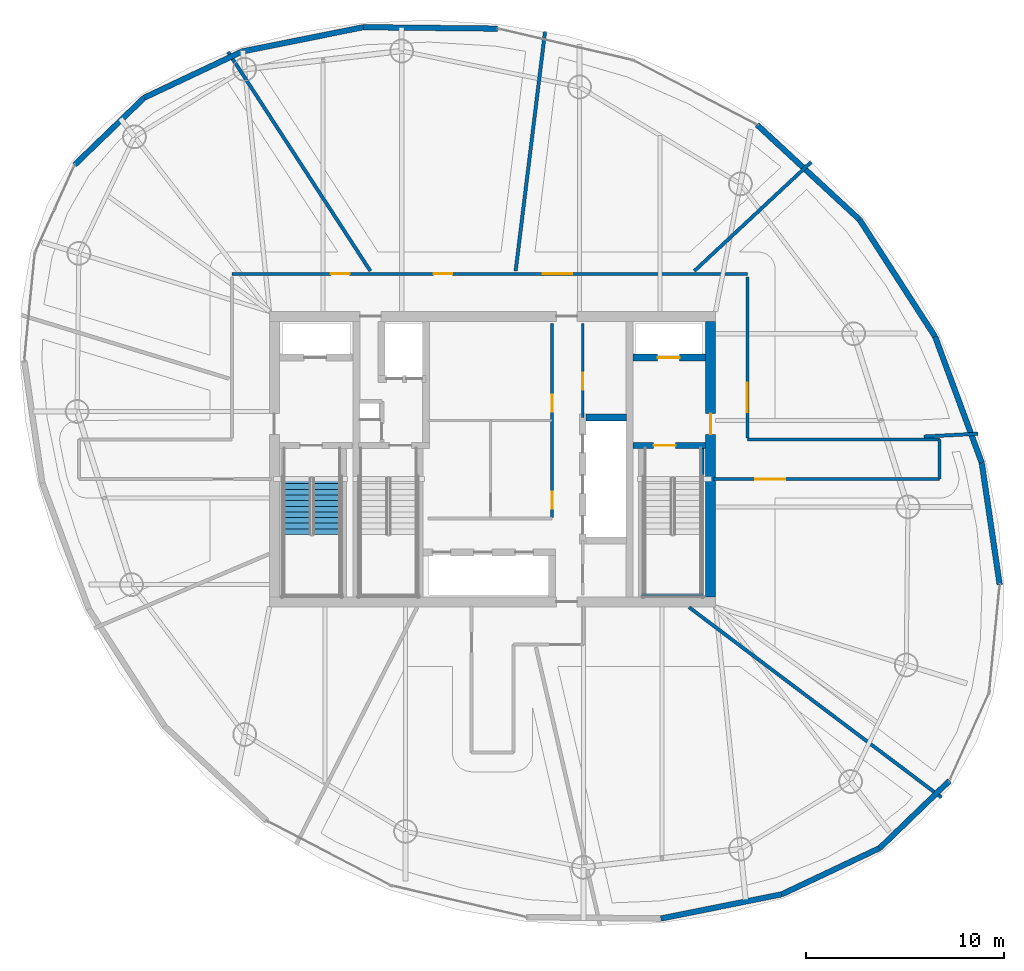
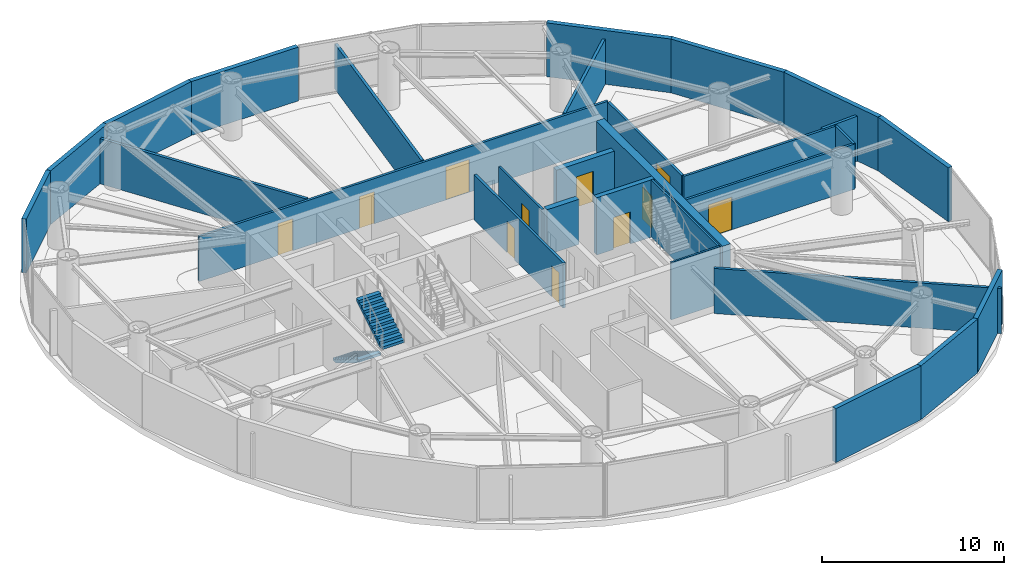
# One storey, part 19 of 25: 29 walls, 11 doors, 2 stair flights, 11 openings, 1 element without a shape of its own.
"""IFC4 building model written with IfcOpenShell, lengths in metres."""

from ifc_helpers import new_model, si_unit, direction, frame, frame_2d, origin, place, context, subcontext, project, spatial, polyline, rectangle, outline, extrude, material, layer, layer_set, type_object, element, fill, aggregate, save


model = new_model("IFC4")

# Units and contexts
model_context = context("Model", 3, precision=1e-05, world=origin(), true_north=direction((0.0, 1.0)))
body_context = subcontext(model_context, "Body", "Model", "MODEL_VIEW")
ifc_project = project(units=[si_unit("LENGTHUNIT", "METRE"), si_unit("AREAUNIT", "SQUARE_METRE"), si_unit("VOLUMEUNIT", "CUBIC_METRE"), si_unit("PLANEANGLEUNIT", "RADIAN"), si_unit("MASSUNIT", "GRAM", prefix="KILO")], contexts=[model_context])

# Site, building, storey
site_placement = place(None, origin())
site = spatial("IfcSite", under=ifc_project, at=site_placement, CompositionType="ELEMENT")
building_placement = place(site_placement, origin())
building = spatial("IfcBuilding", under=site, at=building_placement, Name="Bramvorn Convention Spire", CompositionType="ELEMENT")
storey_placement = place(building_placement, frame((0.0, 0.0, 171.199951171875)))
storey = spatial("IfcBuildingStorey", under=building, at=storey_placement, Name="L43", CompositionType="ELEMENT", Elevation=171.199951171875)

# Wall, opening, door
ifc_material_1 = material(Name="Concrete C50/60", Category="concrete")
ifc_layer_1 = layer(ifc_material_1, 0.5)
ifc_layer_set_1 = layer_set([ifc_layer_1], Name="Concrete C50/60 - WL-CORE-500")
wall_type_1 = type_object("IfcWallType", Name="WL-CORE-500", PredefinedType="SHEAR", material=ifc_layer_set_1)
wall_1_placement = place(storey_placement, frame((49.0, 19.050048828125, 0.0), z_axis=(0.0, 0.0, 1.0), x_axis=(0.0, 1.0, 0.0)))
wall_1 = element("IfcWall", 1, at=wall_1_placement, inside=storey, type_object=wall_type_1, Name="L43 East RC core shear wall", PredefinedType="SHEAR", context=body_context, shape_type="SweptSolid", body=[
    extrude(rectangle(XDim=13.89990234375, YDim=0.5, at=frame_2d((6.949951171875, 0.0))), origin(), (0.0, 0.0, 1.0), 3.85009765625),
])
opening_1_placement = place(wall_1_placement, frame((8.199951171875, 0.0, 0.0)))
opening_1 = element("IfcOpeningElement", 2, at=opening_1_placement, cuts=wall_1, Name="Opening DL-105", PredefinedType="OPENING", context=body_context, shape_type="SweptSolid", body=[
    extrude(rectangle(XDim=1.050048828125, YDim=2.14990234375, at=frame_2d((0.52490234375, 1.074951171875))), frame((0.0, 0.260009765625, 0.0), z_axis=(0.0, -1.0, 0.0), x_axis=(1.0, 0.0, 0.0)), (0.0, 0.0, 1.0), 0.52001953125),
])
ifc_material_2 = material(Name="Smoke-Sealed Fire Lobby Timber-Core Door", Category="wood")
door_type_1 = type_object("IfcDoorType", Name="DR-LOBBY-1050", OperationType="NOTDEFINED", PredefinedType="DOOR", material=ifc_material_2)
door_1_placement = place(opening_1_placement, origin())
door_1 = element("IfcDoor", 3, at=door_1_placement, inside=storey, type_object=door_type_1, Name="L43 East Firefighting Lobby corridor door", OperationType="SINGLE_SWING_LEFT", OverallHeight=2.14990234375, OverallWidth=1.050048828125, PredefinedType="DOOR", context=body_context, shape_type="SweptSolid", body=[
    extrude(rectangle(XDim=1.050048828125, YDim=2.14990234375, at=frame_2d((0.52490234375, 1.074951171875))), frame((0.0, 0.02490234375, 0.0), z_axis=(0.0, -1.0, 0.0), x_axis=(1.0, 0.0, 0.0)), (0.0, 0.0, 1.0), 0.050048828125),
])
fill(opening_1, door_1)

ifc_layer_2 = layer(ifc_material_1, 0.35009765625)
ifc_layer_set_2 = layer_set([ifc_layer_2], Name="Concrete C50/60 - WL-CORE-INT-350")
wall_type_2 = type_object("IfcWallType", Name="WL-CORE-INT-350", PredefinedType="SHEAR", material=ifc_layer_set_2)
wall_2_placement = place(storey_placement, frame((45.080078125, 31.1201171875, 0.0), z_axis=(0.0, 0.0, 1.0), x_axis=(1.0, 0.0, 0.0)))
wall_2 = element("IfcWall", 4, at=wall_2_placement, inside=storey, type_object=wall_type_2, Name="L43 FE2 shaft front wall", PredefinedType="SHEAR", context=body_context, shape_type="SweptSolid", body=[
    extrude(rectangle(XDim=3.669921875, YDim=0.35009765625, at=frame_2d((1.8349609375, 0.0))), origin(), (0.0, 0.0, 1.0), 3.03515625),
])
opening_2_placement = place(wall_2_placement, frame((1.25, 0.0, 0.0)))
opening_2 = element("IfcOpeningElement", 5, at=opening_2_placement, cuts=wall_2, Name="Opening LD-110", PredefinedType="OPENING", context=body_context, shape_type="SweptSolid", body=[
    extrude(rectangle(XDim=1.10009765625, YDim=2.14990234375, at=frame_2d((0.550048828125, 1.074951171875))), frame((0.0, 0.18505859375, 0.0), z_axis=(0.0, -1.0, 0.0), x_axis=(1.0, 0.0, 0.0)), (0.0, 0.0, 1.0), 0.3701171875),
])
ifc_material_3 = material(Name="Firefighting & Service Lift Sliding Landing Door", Category="steel")
door_type_2 = type_object("IfcDoorType", Name="DR-LIFT-LD-1100", OperationType="NOTDEFINED", PredefinedType="DOOR", material=ifc_material_3)
door_2_placement = place(opening_2_placement, origin())
door_2 = element("IfcDoor", 6, at=door_2_placement, inside=storey, type_object=door_type_2, Name="L43 Lift FE2 Sliding Landing Door", OperationType="SLIDING_TO_LEFT", OverallHeight=2.14990234375, OverallWidth=1.10009765625, PredefinedType="DOOR", context=body_context, shape_type="SweptSolid", body=[
    extrude(rectangle(XDim=1.10009765625, YDim=2.14990234375, at=frame_2d((0.550048828125, 1.074951171875))), frame((0.0, 0.02490234375, 0.0), z_axis=(0.0, -1.0, 0.0), x_axis=(1.0, 0.0, 0.0)), (0.0, 0.0, 1.0), 0.050048828125),
])
fill(opening_2, door_2)

# Walls
wall_3_placement = place(storey_placement, frame((42.719970703125, 28.10009765625, 0.0), z_axis=(0.0, 0.0, 1.0), x_axis=(1.0, 0.0, 0.0)))
element("IfcWall", 7, at=wall_3_placement, inside=storey, type_object=wall_type_2, Name="L43 High-rise lift bank north wall", PredefinedType="SHEAR", context=body_context, shape_type="SweptSolid", body=[
    extrude(rectangle(XDim=2.030029296875, YDim=0.35009765625, at=frame_2d((1.01513671875, 0.0))), origin(), (0.0, 0.0, 1.0), 3.03515625),
])
ifc_material_4 = material(Name="Precast Concrete C40/50 with Bronze Terracotta Rainscreen", Category="masonry")
ifc_layer_3 = layer(ifc_material_4, 0.300048828125)
ifc_layer_set_3 = layer_set([ifc_layer_3], Name="Precast Concrete C40/50 with Bronze Terracotta Rainscreen - WL-EXT-BRONZE-300")
wall_type_3 = type_object("IfcWallType", Name="WL-EXT-BRONZE-300", PredefinedType="SOLIDWALL", material=ifc_layer_set_3)
wall_4_placement = place(storey_placement, frame((62.673095703125, 25.819580078125, 0.0), z_axis=(0.0, 0.0, 1.0), x_axis=(0.145592201072, -0.989344687653, 0.0)))
element("IfcWall", 8, at=wall_4_placement, inside=storey, type_object=wall_type_3, Name="L43 expressed bronze Gothic lancet pier wall 03", PredefinedType="SOLIDWALL", context=body_context, shape_type="SweptSolid", body=[
    extrude(rectangle(XDim=6.226318359375, YDim=0.280029296875, at=frame_2d((3.11328125, 0.0))), origin(), (0.0, 0.0, 1.0), 3.6201171875),
])
wall_5_placement = place(storey_placement, frame((60.319580078125, 32.182861328125, 0.0), z_axis=(0.0, 0.0, 1.0), x_axis=(0.346892401277, -0.937904932249, 0.0)))
element("IfcWall", 9, at=wall_5_placement, inside=storey, type_object=wall_type_3, Name="L43 expressed bronze Gothic lancet pier wall 04", PredefinedType="SOLIDWALL", context=body_context, shape_type="SweptSolid", body=[
    extrude(rectangle(XDim=6.78466796875, YDim=0.280029296875, at=frame_2d((3.392333984375, 0.0))), origin(), (0.0, 0.0, 1.0), 3.6201171875),
])
wall_6_placement = place(storey_placement, frame((56.511962890625, 38.07763671875, 0.0), z_axis=(0.0, 0.0, 1.0), x_axis=(0.542583225107, -0.840002049898, 0.0)))
element("IfcWall", 10, at=wall_6_placement, inside=storey, type_object=wall_type_3, Name="L43 expressed bronze Gothic lancet pier wall 05", PredefinedType="SOLIDWALL", context=body_context, shape_type="SweptSolid", body=[
    extrude(rectangle(XDim=7.017578125, YDim=0.280029296875, at=frame_2d((3.5087890625, 0.0))), origin(), (0.0, 0.0, 1.0), 3.6201171875),
])
wall_7_placement = place(storey_placement, frame((51.342041015625, 42.864501953125, 0.0), z_axis=(0.0, 0.0, 1.0), x_axis=(0.733767711646, -0.679400430782, 0.0)))
element("IfcWall", 11, at=wall_7_placement, inside=storey, type_object=wall_type_3, Name="L43 expressed bronze Gothic lancet pier wall 06", PredefinedType="SOLIDWALL", context=body_context, shape_type="SweptSolid", body=[
    extrude(rectangle(XDim=7.045654296875, YDim=0.280029296875, at=frame_2d((3.52294921875, 0.0))), origin(), (0.0, 0.0, 1.0), 3.6201171875),
])
wall_8_placement = place(storey_placement, frame((31.475341796875, 47.78662109375, 0.0), z_axis=(0.0, 0.0, 1.0), x_axis=(0.999945547735, -0.010435591221, 0.0)))
element("IfcWall", 12, at=wall_8_placement, inside=storey, type_object=wall_type_3, Name="L43 expressed bronze Gothic lancet pier wall 09", PredefinedType="SOLIDWALL", context=body_context, shape_type="SweptSolid", body=[
    extrude(rectangle(XDim=6.78466796875, YDim=0.280029296875, at=frame_2d((3.392333984375, 0.0))), origin(), (0.0, 0.0, 1.0), 3.6201171875),
])
wall_9_placement = place(storey_placement, frame((25.370361328125, 46.563232421875, 0.0), z_axis=(0.0, 0.0, 1.0), x_axis=(0.980506708693, 0.196485608144, 0.0)))
element("IfcWall", 13, at=wall_9_placement, inside=storey, type_object=wall_type_3, Name="L43 expressed bronze Gothic lancet pier wall 10", PredefinedType="SOLIDWALL", context=body_context, shape_type="SweptSolid", body=[
    extrude(rectangle(XDim=6.226318359375, YDim=0.280029296875, at=frame_2d((3.11328125, 0.0))), origin(), (0.0, 0.0, 1.0), 3.6201171875),
])
wall_10_placement = place(storey_placement, frame((20.4296875, 44.228515625, 0.0), z_axis=(0.0, 0.0, 1.0), x_axis=(0.904134088176, 0.427248815794, 0.0)))
element("IfcWall", 14, at=wall_10_placement, inside=storey, type_object=wall_type_3, Name="L43 expressed bronze Gothic lancet pier wall 11", PredefinedType="SOLIDWALL", context=body_context, shape_type="SweptSolid", body=[
    extrude(rectangle(XDim=5.464599609375, YDim=0.280029296875, at=frame_2d((2.732421875, 0.0))), origin(), (0.0, 0.0, 1.0), 3.6201171875),
])
wall_11_placement = place(storey_placement, frame((16.9208984375, 40.842041015625, 0.0), z_axis=(0.0, 0.0, 1.0), x_axis=(0.719536884829, 0.69445422554, 0.0)))
element("IfcWall", 15, at=wall_11_placement, inside=storey, type_object=wall_type_3, Name="L43 expressed bronze Gothic lancet pier wall 12", PredefinedType="SOLIDWALL", context=body_context, shape_type="SweptSolid", body=[
    extrude(rectangle(XDim=4.87646484375, YDim=0.280029296875, at=frame_2d((2.438232421875, 0.0))), origin(), (0.0, 0.0, 1.0), 3.6201171875),
])
wall_12_placement = place(storey_placement, frame((52.592041015625, 4.054931640625, 0.0), z_axis=(0.0, 0.0, 1.0), x_axis=(-0.980514262212, -0.196447910649, 0.0)))
element("IfcWall", 16, at=wall_12_placement, inside=storey, type_object=wall_type_3, Name="L43 expressed bronze Gothic lancet pier wall 22", PredefinedType="SOLIDWALL", context=body_context, shape_type="SweptSolid", body=[
    extrude(rectangle(XDim=6.226318359375, YDim=0.280029296875, at=frame_2d((3.11328125, 0.0))), origin(), (0.0, 0.0, 1.0), 3.6201171875),
])
wall_13_placement = place(storey_placement, frame((57.53271484375, 6.389892578125, 0.0), z_axis=(0.0, 0.0, 1.0), x_axis=(-0.904116829372, -0.427285336568, 0.0)))
element("IfcWall", 17, at=wall_13_placement, inside=storey, type_object=wall_type_3, Name="L43 expressed bronze Gothic lancet pier wall 23", PredefinedType="SOLIDWALL", context=body_context, shape_type="SweptSolid", body=[
    extrude(rectangle(XDim=5.464599609375, YDim=0.280029296875, at=frame_2d((2.732421875, 0.0))), origin(), (0.0, 0.0, 1.0), 3.6201171875),
])
wall_14_placement = place(storey_placement, frame((61.041259765625, 9.776123046875, 0.0), z_axis=(0.0, 0.0, 1.0), x_axis=(-0.719537756964, -0.694453321904, 0.0)))
element("IfcWall", 18, at=wall_14_placement, inside=storey, type_object=wall_type_3, Name="L43 expressed bronze Gothic lancet pier wall 24", PredefinedType="SOLIDWALL", context=body_context, shape_type="SweptSolid", body=[
    extrude(rectangle(XDim=4.876220703125, YDim=0.280029296875, at=frame_2d((2.43798828125, 0.0))), origin(), (0.0, 0.0, 1.0), 3.6201171875),
])

# Wall, opening, door
ifc_material_5 = material(Name="Metal-Stud Demountable Office Partition", Category="gypsum")
ifc_layer_4 = layer(ifc_material_5, 0.1298828125)
ifc_layer_set_4 = layer_set([ifc_layer_4], Name="Metal-Stud Demountable Office Partition - WL-PART-130")
wall_type_4 = type_object("IfcWallType", Name="WL-PART-130", PredefinedType="PARTITIONING", material=ifc_layer_set_4)
wall_15_placement = place(storey_placement, frame((42.550048828125, 28.10009765625, 0.0), z_axis=(0.0, 0.0, 1.0), x_axis=(0.0, 1.0, 0.0)))
wall_15 = element("IfcWall", 19, at=wall_15_placement, inside=storey, type_object=wall_type_4, Name="L43 KA NE IDF wall", PredefinedType="PARTITIONING", context=body_context, shape_type="SweptSolid", body=[
    extrude(rectangle(XDim=4.75, YDim=0.1298828125, at=frame_2d((2.375, 0.0))), origin(), (0.0, 0.0, 1.0), 3.03515625),
])
opening_3_placement = place(wall_15_placement, frame((1.39990234375, 0.0, 0.0)))
opening_3 = element("IfcOpeningElement", 20, at=opening_3_placement, cuts=wall_15, Name="Opening DC-085", PredefinedType="OPENING", context=body_context, shape_type="SweptSolid", body=[
    extrude(rectangle(XDim=0.85009765625, YDim=2.10009765625, at=frame_2d((0.425048828125, 1.050048828125))), frame((0.0, 0.074951171875, 0.0), z_axis=(0.0, -1.0, 0.0), x_axis=(1.0, 0.0, 0.0)), (0.0, 0.0, 1.0), 0.14990234375),
])
ifc_material_6 = material(Name="Fire-Rated Core Washroom & IDF Door", Category="wood")
door_type_3 = type_object("IfcDoorType", Name="DR-CORE-850", OperationType="NOTDEFINED", PredefinedType="DOOR", material=ifc_material_6)
door_3_placement = place(opening_3_placement, origin())
door_3 = element("IfcDoor", 21, at=door_3_placement, inside=storey, type_object=door_type_3, Name="L43 Core IDF & BMS Room door", OperationType="SINGLE_SWING_LEFT", OverallHeight=2.10009765625, OverallWidth=0.85009765625, PredefinedType="DOOR", context=body_context, shape_type="SweptSolid", body=[
    extrude(rectangle(XDim=0.85009765625, YDim=2.10009765625, at=frame_2d((0.425048828125, 1.050048828125))), frame((0.0, 0.02490234375, 0.0), z_axis=(0.0, -1.0, 0.0), x_axis=(1.0, 0.0, 0.0)), (0.0, 0.0, 1.0), 0.050048828125),
])
fill(opening_3, door_3)

# Wall, openings, doors
ifc_material_7 = material(Name="Acoustic Metal-Stud Tenant/Corridor Partition", Category="gypsum")
ifc_layer_5 = layer(ifc_material_7, 0.14990234375)
ifc_layer_set_5 = layer_set([ifc_layer_5], Name="Acoustic Metal-Stud Tenant/Corridor Partition - WL-PART-150")
wall_type_5 = type_object("IfcWallType", Name="WL-PART-150", PredefinedType="PARTITIONING", material=ifc_layer_set_5)
wall_16_placement = place(storey_placement, frame((41.0, 23.050048828125, 0.0), z_axis=(0.0, 0.0, 1.0), x_axis=(0.0, 1.0, 0.0)))
wall_16 = element("IfcWall", 22, at=wall_16_placement, inside=storey, type_object=wall_type_5, Name="L43 KA east core wall", PredefinedType="PARTITIONING", context=body_context, shape_type="SweptSolid", body=[
    extrude(rectangle(XDim=9.800048828125, YDim=0.14990234375, at=frame_2d((4.89990234375, 0.0))), origin(), (0.0, 0.0, 1.0), 3.03515625),
])
opening_4_placement = place(wall_16_placement, frame((5.35009765625, 0.0, 0.0)))
opening_4 = element("IfcOpeningElement", 23, at=opening_4_placement, cuts=wall_16, Name="Opening DC-085", PredefinedType="OPENING", context=body_context, shape_type="SweptSolid", body=[
    extrude(rectangle(XDim=0.85009765625, YDim=2.10009765625, at=frame_2d((0.425048828125, 1.050048828125))), frame((0.0, 0.0849609375, 0.0), z_axis=(0.0, -1.0, 0.0), x_axis=(1.0, 0.0, 0.0)), (0.0, 0.0, 1.0), 0.169921875),
])
opening_5_placement = place(wall_16_placement, frame((0.449951171875, 0.0, 0.0)))
opening_5 = element("IfcOpeningElement", 24, at=opening_5_placement, cuts=wall_16, Name="Opening DC-085", PredefinedType="OPENING", context=body_context, shape_type="SweptSolid", body=[
    extrude(rectangle(XDim=0.85009765625, YDim=2.10009765625, at=frame_2d((0.425048828125, 1.050048828125))), frame((0.0, 0.0849609375, 0.0), z_axis=(0.0, -1.0, 0.0), x_axis=(1.0, 0.0, 0.0)), (0.0, 0.0, 1.0), 0.169921875),
])
door_4_placement = place(opening_4_placement, origin())
door_4 = element("IfcDoor", 25, at=door_4_placement, inside=storey, type_object=door_type_3, Name="L43 Core Linen & Equipment Store door", OperationType="SINGLE_SWING_LEFT", OverallHeight=2.10009765625, OverallWidth=0.85009765625, PredefinedType="DOOR", context=body_context, shape_type="SweptSolid", body=[
    extrude(rectangle(XDim=0.85009765625, YDim=2.10009765625, at=frame_2d((0.425048828125, 1.050048828125))), frame((0.0, 0.02490234375, 0.0), z_axis=(0.0, -1.0, 0.0), x_axis=(1.0, 0.0, 0.0)), (0.0, 0.0, 1.0), 0.050048828125),
])
fill(opening_4, door_4)
door_5_placement = place(opening_5_placement, origin())
door_5 = element("IfcDoor", 26, at=door_5_placement, inside=storey, type_object=door_type_3, Name="L43 Accessible Core Restroom door", OperationType="SINGLE_SWING_LEFT", OverallHeight=2.10009765625, OverallWidth=0.85009765625, PredefinedType="DOOR", context=body_context, shape_type="SweptSolid", body=[
    extrude(rectangle(XDim=0.85009765625, YDim=2.10009765625, at=frame_2d((0.425048828125, 1.050048828125))), frame((0.0, 0.02490234375, 0.0), z_axis=(0.0, -1.0, 0.0), x_axis=(1.0, 0.0, 0.0)), (0.0, 0.0, 1.0), 0.050048828125),
])
fill(opening_5, door_5)

wall_17_placement = place(storey_placement, frame((24.85009765625, 35.35009765625, 0.0), z_axis=(0.0, 0.0, 1.0), x_axis=(1.0, 0.0, 0.0)))
wall_17 = element("IfcWall", 27, at=wall_17_placement, inside=storey, type_object=wall_type_5, Name="L43 North gallery wall", PredefinedType="PARTITIONING", context=body_context, shape_type="SweptSolid", body=[
    extrude(rectangle(XDim=26.0, YDim=0.14990234375, at=frame_2d((13.0, 0.0))), origin(), (0.0, 0.0, 1.0), 3.03515625),
])
opening_6_placement = place(wall_17_placement, frame((15.673583984375, 0.0, 0.0)))
opening_6 = element("IfcOpeningElement", 28, at=opening_6_placement, cuts=wall_17, Name="Opening DC-150", PredefinedType="OPENING", context=body_context, shape_type="SweptSolid", body=[
    extrude(rectangle(XDim=1.5, YDim=2.199951171875, at=frame_2d((0.75, 1.10009765625))), frame((0.0, 0.0849609375, 0.0), z_axis=(0.0, -1.0, 0.0), x_axis=(1.0, 0.0, 0.0)), (0.0, 0.0, 1.0), 0.169921875),
])
opening_7_placement = place(wall_17_placement, frame((10.177734375, 0.0, 0.0)))
opening_7 = element("IfcOpeningElement", 29, at=opening_7_placement, cuts=wall_17, Name="Opening DH-095", PredefinedType="OPENING", context=body_context, shape_type="SweptSolid", body=[
    extrude(rectangle(XDim=0.949951171875, YDim=2.14990234375, at=frame_2d((0.47509765625, 1.074951171875))), frame((0.0, 0.0849609375, 0.0), z_axis=(0.0, -1.0, 0.0), x_axis=(1.0, 0.0, 0.0)), (0.0, 0.0, 1.0), 0.169921875),
])
opening_8_placement = place(wall_17_placement, frame((4.997314453125, 0.0, 0.0)))
opening_8 = element("IfcOpeningElement", 30, at=opening_8_placement, cuts=wall_17, Name="Opening DH-095", PredefinedType="OPENING", context=body_context, shape_type="SweptSolid", body=[
    extrude(rectangle(XDim=0.949951171875, YDim=2.14990234375, at=frame_2d((0.47509765625, 1.074951171875))), frame((0.0, 0.0849609375, 0.0), z_axis=(0.0, -1.0, 0.0), x_axis=(1.0, 0.0, 0.0)), (0.0, 0.0, 1.0), 0.169921875),
])
ifc_material_8 = material(Name="Double-Leaf Smoke-Control Corridor Door", Category="wood")
door_type_4 = type_object("IfcDoorType", Name="DR-COR-1500", OperationType="NOTDEFINED", PredefinedType="DOOR", material=ifc_material_8)
door_6_placement = place(opening_6_placement, origin())
door_6 = element("IfcDoor", 31, at=door_6_placement, inside=storey, type_object=door_type_4, Name="L43 Artisanal Dining Cafe 2 door", OperationType="DOUBLE_DOOR_SINGLE_SWING", OverallHeight=2.199951171875, OverallWidth=1.5, PredefinedType="DOOR", context=body_context, shape_type="SweptSolid", body=[
    extrude(rectangle(XDim=1.5, YDim=2.199951171875, at=frame_2d((0.75, 1.10009765625))), frame((0.0, 0.02490234375, 0.0), z_axis=(0.0, -1.0, 0.0), x_axis=(1.0, 0.0, 0.0)), (0.0, 0.0, 1.0), 0.050048828125),
])
fill(opening_6, door_6)
ifc_material_9 = material(Name="Solid-Core Acoustic Guestroom Entry Door", Category="wood")
door_type_5 = type_object("IfcDoorType", Name="DR-HOTEL-950", OperationType="NOTDEFINED", PredefinedType="DOOR", material=ifc_material_9)
door_7_placement = place(opening_7_placement, origin())
door_7 = element("IfcDoor", 32, at=door_7_placement, inside=storey, type_object=door_type_5, Name="L43 Catering Pantry Kitchen 3 door", OperationType="SINGLE_SWING_LEFT", OverallHeight=2.14990234375, OverallWidth=0.949951171875, PredefinedType="DOOR", context=body_context, shape_type="SweptSolid", body=[
    extrude(rectangle(XDim=0.949951171875, YDim=2.14990234375, at=frame_2d((0.47509765625, 1.074951171875))), frame((0.0, 0.02490234375, 0.0), z_axis=(0.0, -1.0, 0.0), x_axis=(1.0, 0.0, 0.0)), (0.0, 0.0, 1.0), 0.050048828125),
])
fill(opening_7, door_7)
door_8_placement = place(opening_8_placement, origin())
door_8 = element("IfcDoor", 33, at=door_8_placement, inside=storey, type_object=door_type_5, Name="L43 Client Meeting Room A 4 door", OperationType="SINGLE_SWING_LEFT", OverallHeight=2.14990234375, OverallWidth=0.949951171875, PredefinedType="DOOR", context=body_context, shape_type="SweptSolid", body=[
    extrude(rectangle(XDim=0.949951171875, YDim=2.14990234375, at=frame_2d((0.47509765625, 1.074951171875))), frame((0.0, 0.02490234375, 0.0), z_axis=(0.0, -1.0, 0.0), x_axis=(1.0, 0.0, 0.0)), (0.0, 0.0, 1.0), 0.050048828125),
])
fill(opening_8, door_8)

# Wall, opening, door
wall_18_placement = place(storey_placement, frame((50.85009765625, 27.080078125, 0.0), z_axis=(0.0, 0.0, 1.0), x_axis=(0.0, 1.0, 0.0)))
wall_18 = element("IfcWall", 34, at=wall_18_placement, inside=storey, type_object=wall_type_5, Name="L43 NE gallery cheek", PredefinedType="PARTITIONING", context=body_context, shape_type="SweptSolid", body=[
    extrude(rectangle(XDim=8.119873046875, YDim=0.14990234375, at=frame_2d((4.06005859375, 0.0))), origin(), (0.0, 0.0, 1.0), 3.03515625),
])
opening_9_placement = place(wall_18_placement, frame((1.280029296875, 0.0, 0.0)))
opening_9 = element("IfcOpeningElement", 35, at=opening_9_placement, cuts=wall_18, Name="Opening DC-150", PredefinedType="OPENING", context=body_context, shape_type="SweptSolid", body=[
    extrude(rectangle(XDim=1.5, YDim=2.199951171875, at=frame_2d((0.75, 1.10009765625))), frame((0.0, 0.0849609375, 0.0), z_axis=(0.0, -1.0, 0.0), x_axis=(1.0, 0.0, 0.0)), (0.0, 0.0, 1.0), 0.169921875),
])
door_9_placement = place(opening_9_placement, origin())
door_9 = element("IfcDoor", 36, at=door_9_placement, inside=storey, type_object=door_type_4, Name="L43 High-Rise Reception Concierge 1 door", OperationType="DOUBLE_DOOR_SINGLE_SWING", OverallHeight=2.199951171875, OverallWidth=1.5, PredefinedType="DOOR", context=body_context, shape_type="SweptSolid", body=[
    extrude(rectangle(XDim=1.5, YDim=2.199951171875, at=frame_2d((0.75, 1.10009765625))), frame((0.0, 0.02490234375, 0.0), z_axis=(0.0, -1.0, 0.0), x_axis=(1.0, 0.0, 0.0)), (0.0, 0.0, 1.0), 0.050048828125),
])
fill(opening_9, door_9)

# Wall
wall_19_placement = place(storey_placement, frame((50.85009765625, 27.0, 0.0), z_axis=(0.0, 0.0, 1.0), x_axis=(1.0, 0.0, 0.0)))
element("IfcWall", 37, at=wall_19_placement, inside=storey, type_object=wall_type_5, Name="L43 East wing spine north wall", PredefinedType="PARTITIONING", context=body_context, shape_type="SweptSolid", body=[
    extrude(rectangle(XDim=9.703125, YDim=0.14990234375, at=frame_2d((4.8515625, 0.0))), origin(), (0.0, 0.0, 1.0), 3.03515625),
])

# Wall, opening, door
wall_20_placement = place(storey_placement, frame((49.14990234375, 25.0, 0.0), z_axis=(0.0, 0.0, 1.0), x_axis=(1.0, 0.0, 0.0)))
wall_20 = element("IfcWall", 38, at=wall_20_placement, inside=storey, type_object=wall_type_5, Name="L43 East wing spine south wall", PredefinedType="PARTITIONING", context=body_context, shape_type="SweptSolid", body=[
    extrude(rectangle(XDim=11.4033203125, YDim=0.14990234375, at=frame_2d((5.70166015625, 0.0))), origin(), (0.0, 0.0, 1.0), 3.03515625),
])
opening_10_placement = place(wall_20_placement, frame((2.100830078125, 0.0, 0.0)))
opening_10 = element("IfcOpeningElement", 39, at=opening_10_placement, cuts=wall_20, Name="Opening DC-150", PredefinedType="OPENING", context=body_context, shape_type="SweptSolid", body=[
    extrude(rectangle(XDim=1.5, YDim=2.199951171875, at=frame_2d((0.75, 1.10009765625))), frame((0.0, 0.0849609375, 0.0), z_axis=(0.0, -1.0, 0.0), x_axis=(1.0, 0.0, 0.0)), (0.0, 0.0, 1.0), 0.169921875),
])
door_10_placement = place(opening_10_placement, origin())
door_10 = element("IfcDoor", 40, at=door_10_placement, inside=storey, type_object=door_type_4, Name="L43 Artisanal Dining Cafe 9 door", OperationType="DOUBLE_DOOR_SINGLE_SWING", OverallHeight=2.199951171875, OverallWidth=1.5, PredefinedType="DOOR", context=body_context, shape_type="SweptSolid", body=[
    extrude(rectangle(XDim=1.5, YDim=2.199951171875, at=frame_2d((0.75, 1.10009765625))), frame((0.0, 0.02490234375, 0.0), z_axis=(0.0, -1.0, 0.0), x_axis=(1.0, 0.0, 0.0)), (0.0, 0.0, 1.0), 0.050048828125),
])
fill(opening_10, door_10)

# Walls
wall_21_placement = place(storey_placement, frame((60.55322265625, 25.0, 0.0), z_axis=(0.0, 0.0, 1.0), x_axis=(0.0, 1.0, 0.0)))
element("IfcWall", 41, at=wall_21_placement, inside=storey, type_object=wall_type_5, Name="L43 East wing spine end wall", PredefinedType="PARTITIONING", context=body_context, shape_type="SweptSolid", body=[
    extrude(rectangle(XDim=2.0, YDim=0.14990234375, at=frame_2d((1.0, 0.0))), origin(), (0.0, 0.0, 1.0), 3.03515625),
])
ifc_material_10 = material(Name="Double-Stud Acoustic Hotel/Suite Partition", Category="gypsum")
ifc_layer_6 = layer(ifc_material_10, 0.175048828125)
ifc_layer_set_6 = layer_set([ifc_layer_6], Name="Double-Stud Acoustic Hotel/Suite Partition - WL-PART-175")
wall_type_6 = type_object("IfcWallType", Name="WL-PART-175", PredefinedType="PARTITIONING", material=ifc_layer_set_6)
wall_22_placement = place(storey_placement, frame((59.75244140625, 27.139892578125, 0.0), z_axis=(0.0, 0.0, 1.0), x_axis=(0.998627196543, 0.052380552916, 0.0)))
element("IfcWall", 42, at=wall_22_placement, inside=storey, type_object=wall_type_6, Name="L43 Tenant suite partition 1", PredefinedType="PARTITIONING", context=body_context, shape_type="SweptSolid", body=[
    extrude(rectangle(XDim=2.731201171875, YDim=0.175048828125, at=frame_2d((1.36572265625, 0.0))), origin(), (0.0, 0.0, 1.0), 3.03515625),
])
wall_23_placement = place(storey_placement, frame((48.1767578125, 35.489990234375, 0.0), z_axis=(0.0, 0.0, 1.0), x_axis=(0.731363052837, 0.681988331971, 0.0)))
element("IfcWall", 43, at=wall_23_placement, inside=storey, type_object=wall_type_6, Name="L43 Tenant suite partition 2", PredefinedType="PARTITIONING", context=body_context, shape_type="SweptSolid", body=[
    extrude(rectangle(XDim=8.069580078125, YDim=0.175048828125, at=frame_2d((4.03466796875, 0.0))), origin(), (0.0, 0.0, 1.0), 3.03515625),
])
wall_24_placement = place(storey_placement, frame((39.165283203125, 35.489990234375, 0.0), z_axis=(0.0, 0.0, 1.0), x_axis=(0.121866334527, 0.99254652108, 0.0)))
element("IfcWall", 44, at=wall_24_placement, inside=storey, type_object=wall_type_6, Name="L43 Tenant suite partition 3", PredefinedType="PARTITIONING", context=body_context, shape_type="SweptSolid", body=[
    extrude(rectangle(XDim=12.168212890625, YDim=0.175048828125, at=frame_2d((6.083984375, 0.0))), origin(), (0.0, 0.0, 1.0), 3.03515625),
])
wall_25_placement = place(storey_placement, frame((31.837158203125, 35.489990234375, 0.0), z_axis=(0.0, 0.0, 1.0), x_axis=(-0.544634876215, 0.838673268687, 0.0)))
element("IfcWall", 45, at=wall_25_placement, inside=storey, type_object=wall_type_6, Name="L43 Tenant suite partition 4", PredefinedType="PARTITIONING", context=body_context, shape_type="SweptSolid", body=[
    extrude(rectangle(XDim=13.184326171875, YDim=0.175048828125, at=frame_2d((6.59228515625, 0.0))), origin(), (0.0, 0.0, 1.0), 3.03515625),
])
wall_26_placement = place(storey_placement, frame((47.9130859375, 18.530029296875, 0.0), z_axis=(0.0, 0.0, 1.0), x_axis=(0.798636382818, -0.601813864944, 0.0)))
element("IfcWall", 46, at=wall_26_placement, inside=storey, type_object=wall_type_6, Name="L43 Tenant suite partition 9", PredefinedType="PARTITIONING", context=body_context, shape_type="SweptSolid", body=[
    extrude(rectangle(XDim=15.9443359375, YDim=0.175048828125, at=frame_2d((7.97216796875, 0.0))), origin(), (0.0, 0.0, 1.0), 3.03515625),
])

# Wall, opening, door
ifc_layer_7 = layer(ifc_material_1, 0.300048828125)
ifc_layer_set_7 = layer_set([ifc_layer_7], Name="Concrete C50/60 - WL-POD-STAIR-300")
wall_type_7 = type_object("IfcWallType", Name="WL-POD-STAIR-300", PredefinedType="SHEAR", material=ifc_layer_set_7)
wall_27_placement = place(storey_placement, frame((45.080078125, 26.68994140625, 0.0), z_axis=(0.0, 0.0, 1.0), x_axis=(1.0, 0.0, 0.0)))
wall_27 = element("IfcWall", 47, at=wall_27_placement, inside=storey, type_object=wall_type_7, Name="L43 ST2 north fire wall", PredefinedType="SHEAR", context=body_context, shape_type="SweptSolid", body=[
    extrude(rectangle(XDim=3.669921875, YDim=0.300048828125, at=frame_2d((1.8349609375, 0.0))), origin(), (0.0, 0.0, 1.0), 3.85009765625),
])
opening_11_placement = place(wall_27_placement, frame((1.050048828125, 0.0, 0.0)))
opening_11 = element("IfcOpeningElement", 48, at=opening_11_placement, cuts=wall_27, Name="Opening DS-110", PredefinedType="OPENING", context=body_context, shape_type="SweptSolid", body=[
    extrude(rectangle(XDim=1.10009765625, YDim=2.14990234375, at=frame_2d((0.550048828125, 1.074951171875))), frame((0.0, 0.159912109375, 0.0), z_axis=(0.0, -1.0, 0.0), x_axis=(1.0, 0.0, 0.0)), (0.0, 0.0, 1.0), 0.320068359375),
])
ifc_material_11 = material(Name="Fire-Rated Hollow Steel Stairwell Door", Category="steel")
door_type_6 = type_object("IfcDoorType", Name="DR-STAIR-1100", OperationType="NOTDEFINED", PredefinedType="DOOR", material=ifc_material_11)
door_11_placement = place(opening_11_placement, origin())
door_11 = element("IfcDoor", 49, at=door_11_placement, inside=storey, type_object=door_type_6, Name="L43 Stair ST2 fire door", OperationType="SINGLE_SWING_RIGHT", OverallHeight=2.14990234375, OverallWidth=1.10009765625, PredefinedType="DOOR", context=body_context, shape_type="SweptSolid", body=[
    extrude(rectangle(XDim=1.10009765625, YDim=2.14990234375, at=frame_2d((0.550048828125, 1.074951171875))), frame((0.0, 0.02490234375, 0.0), z_axis=(0.0, -1.0, 0.0), x_axis=(1.0, 0.0, 0.0)), (0.0, 0.0, 1.0), 0.050048828125),
])
fill(opening_11, door_11)

# Walls
ifc_layer_8 = layer(ifc_material_1, 0.1201171875)
ifc_layer_set_8 = layer_set([ifc_layer_8], Name="Concrete C50/60 - WL-STAIR-RC-120")
wall_type_8 = type_object("IfcWallType", Name="WL-STAIR-RC-120", PredefinedType="SHEAR", material=ifc_layer_set_8)
wall_28_placement = place(storey_placement, frame((48.60498046875, 19.10009765625, 0.0), z_axis=(0.0, 0.0, 1.0), x_axis=(0.0, 1.0, 0.0)))
element("IfcWall", 50, at=wall_28_placement, inside=storey, type_object=wall_type_8, Name="L43 ST2 east bearing shear wall", PredefinedType="SHEAR", context=body_context, shape_type="SweptSolid", body=[
    extrude(rectangle(XDim=7.449951171875, YDim=0.1201171875, at=frame_2d((3.72509765625, 0.0))), origin(), (0.0, 0.0, 1.0), 3.85009765625),
])
wall_29_placement = place(storey_placement, frame((45.510009765625, 19.159912109375, 0.0), z_axis=(0.0, 0.0, 1.0), x_axis=(1.0, 0.0, 0.0)))
element("IfcWall", 51, at=wall_29_placement, inside=storey, type_object=wall_type_8, Name="L43 ST2 south bearing shear wall", PredefinedType="SHEAR", context=body_context, shape_type="SweptSolid", body=[
    extrude(rectangle(XDim=3.094970703125, YDim=0.1201171875, at=frame_2d((1.54736328125, 0.0))), origin(), (0.0, 0.0, 1.0), 3.85009765625),
])

# Stair, stair flights
ifc_material_12 = material(Name="Concrete C40/50 Precast Stair", Category="concrete")
stair_type = type_object("IfcStairType", Name="ST-TOWER-1550", PredefinedType="HALF_TURN_STAIR", material=ifc_material_12)
stair_placement = place(storey_placement, origin())
stair = element("IfcStair", 52, at=stair_placement, inside=storey, type_object=stair_type, Name="L43 Protected Exit Stair ST1", PredefinedType="HALF_TURN_STAIR")
ifc_material_13 = material(Name="Concrete C40/50 Precast Stair Flight", Category="concrete")
stair_flight_type = type_object("IfcStairFlightType", Name="STF-TOWER-1550", PredefinedType="STRAIGHT", material=ifc_material_13)
stair_flight_1_placement = place(storey_placement, frame((28.155029296875, 25.050048828125, 0.0), z_axis=(0.0, 0.0, 1.0), x_axis=(0.0, -1.0, 0.0)))
stair_flight_1 = element("IfcStairFlight", 53, at=stair_flight_1_placement, type_object=stair_flight_type, Name="ST1 flight 1", NumberOfRisers=11, NumberOfTreads=10, PredefinedType="STRAIGHT", RiserHeight=0.175, TreadLength=0.285, context=body_context, shape_type="SweptSolid", body=[
    extrude(outline(polyline([(0.0, 0.0), (0.0, 0.175048828125), (0.284912109375, 0.175048828125), (0.284912109375, 0.35009765625), (0.570068359375, 0.35009765625), (0.570068359375, 0.52490234375), (0.85498046875, 0.52490234375), (0.85498046875, 0.699951171875), (1.139892578125, 0.699951171875), (1.139892578125, 0.875), (1.425048828125, 0.875), (1.425048828125, 1.050048828125), (1.7099609375, 1.050048828125), (1.7099609375, 1.22509765625), (1.9951171875, 1.22509765625), (1.9951171875, 1.39990234375), (2.280029296875, 1.39990234375), (2.280029296875, 1.574951171875), (2.56494140625, 1.574951171875), (2.56494140625, 1.75), (2.85009765625, 1.75), (2.85009765625, 1.925048828125), (2.85009765625, 1.573974609375), (0.286376953125, 0.0), (0.0, 0.0)])), frame((0.0, 0.705078125, 0.0), z_axis=(0.0, -1.0, 0.0), x_axis=(1.0, 0.0, 0.0)), (0.0, 0.0, 1.0), 1.409912109375),
])
stair_flight_2_placement = place(storey_placement, frame((29.64501953125, 22.199951171875, 1.925048828125), z_axis=(0.0, 0.0, 1.0), x_axis=(0.0, 1.0, 0.0)))
stair_flight_2 = element("IfcStairFlight", 54, at=stair_flight_2_placement, type_object=stair_flight_type, Name="ST1 flight 2", NumberOfRisers=11, NumberOfTreads=10, PredefinedType="STRAIGHT", RiserHeight=0.175, TreadLength=0.285, context=body_context, shape_type="SweptSolid", body=[
    extrude(outline(polyline([(0.0, 0.0), (0.0, 0.175048828125), (0.284912109375, 0.175048828125), (0.284912109375, 0.35009765625), (0.570068359375, 0.35009765625), (0.570068359375, 0.52490234375), (0.85498046875, 0.52490234375), (0.85498046875, 0.699951171875), (1.139892578125, 0.699951171875), (1.139892578125, 0.875), (1.425048828125, 0.875), (1.425048828125, 1.050048828125), (1.7099609375, 1.050048828125), (1.7099609375, 1.22509765625), (1.9951171875, 1.22509765625), (1.9951171875, 1.39990234375), (2.280029296875, 1.39990234375), (2.280029296875, 1.574951171875), (2.56494140625, 1.574951171875), (2.56494140625, 1.75), (2.85009765625, 1.75), (2.85009765625, 1.925048828125), (2.85009765625, 1.573974609375), (0.286376953125, 0.0), (0.0, 0.0)])), frame((0.0, 0.705078125, 0.0), z_axis=(0.0, -1.0, 0.0), x_axis=(1.0, 0.0, 0.0)), (0.0, 0.0, 1.0), 1.409912109375),
])
aggregate(stair, [stair_flight_1, stair_flight_2])

save(model, "model.ifc")
